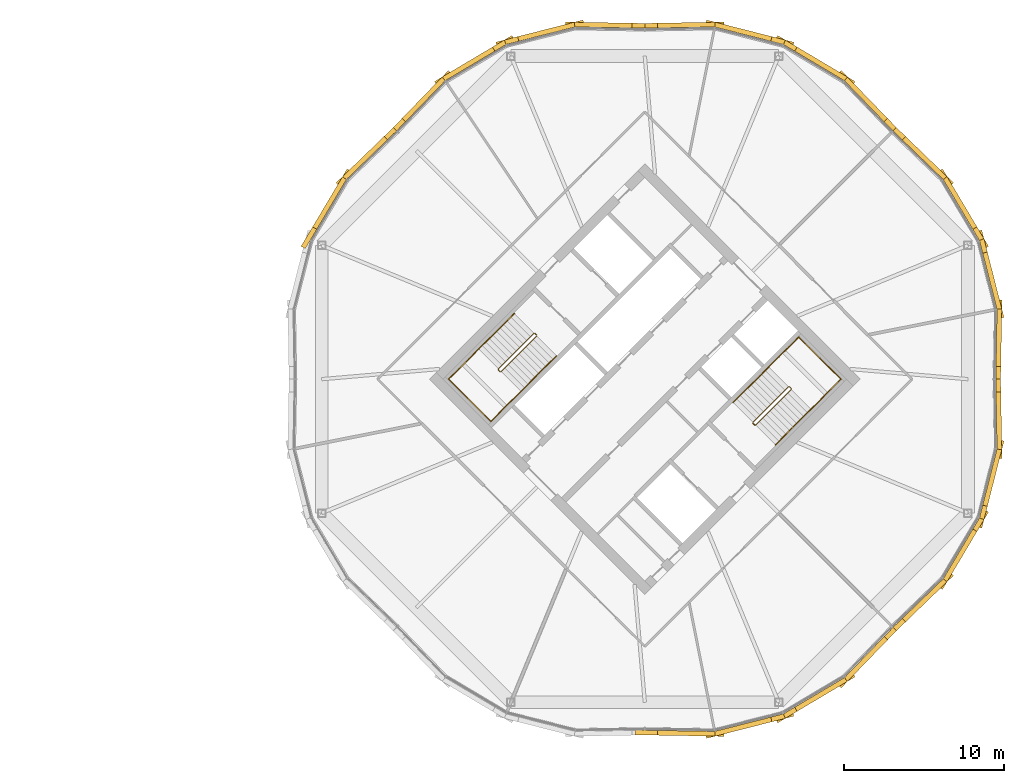
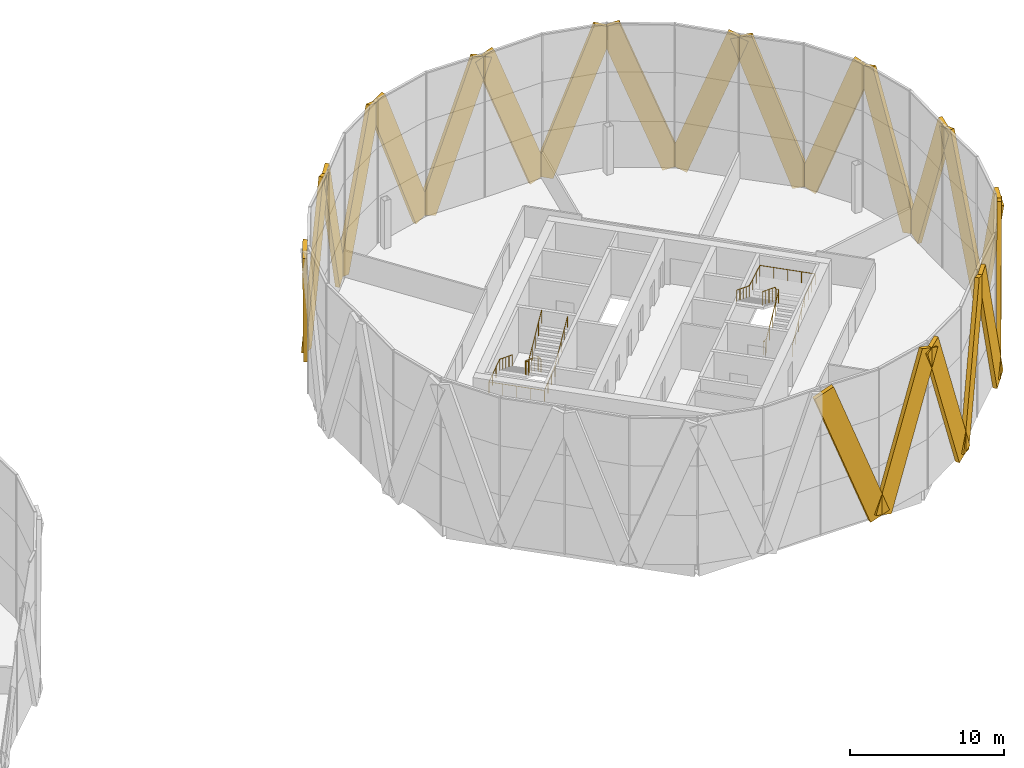
# One storey, part 23 of 23: 22 coverings, 4 railings.
"""IFC4 building model written with IfcOpenShell, lengths in metres."""

from ifc_helpers import new_model, si_unit, direction, frame, origin, origin_2d, place, context, subcontext, project, spatial, rectangle, circle, extrude, material, material_profile, profile_set, type_object, element, save


model = new_model("IFC4")

# Units and contexts
model_context = context("Model", 3, precision=1e-05, world=origin(), true_north=direction((0.0, 1.0)))
body_context = subcontext(model_context, "Body", "Model", "MODEL_VIEW")
ifc_project = project(units=[si_unit("LENGTHUNIT", "METRE"), si_unit("AREAUNIT", "SQUARE_METRE"), si_unit("VOLUMEUNIT", "CUBIC_METRE"), si_unit("PLANEANGLEUNIT", "RADIAN"), si_unit("MASSUNIT", "GRAM", prefix="KILO")], contexts=[model_context])

# Site, building, storey
site_placement = place(None, origin())
site = spatial("IfcSite", under=ifc_project, at=site_placement, CompositionType="ELEMENT")
building_placement = place(site_placement, origin())
building = spatial("IfcBuilding", under=site, at=building_placement, Name="Ogive Gate Towers", CompositionType="ELEMENT")
storey_placement = place(building_placement, frame((0.0, 0.0, 177.300048828125)))
storey = spatial("IfcBuildingStorey", under=building, at=storey_placement, Name="L42", CompositionType="ELEMENT", Elevation=177.300048828125)

# Coverings
ifc_material_1 = material(Name="Pale metal aluminium", Category="aluminium")
ifc_material_profile = material_profile(ifc_material_1, rectangle(XDim=0.300048828125, YDim=1.5, at=origin_2d()), Name="1500 x 300 pale metal aluminium")
ifc_profile_set = profile_set([ifc_material_profile], Name="Pale metal aluminium")
covering_type = type_object("IfcCoveringType", Name="Facade fin 1500 x 300", PredefinedType="CLADDING", material=ifc_profile_set)
covering_1_placement = place(storey_placement, frame((58.11181640625, 4.24365234375, -0.0888671875), z_axis=(-0.005896872643, -0.348099763226, 0.937438948271), x_axis=(0.999856546025, -0.016937749853, 0.0)))
element("IfcCovering", 1, at=covering_1_placement, inside=storey, type_object=covering_type, Name="Facade fin", PredefinedType="CLADDING", context=body_context, shape_type="SweptSolid", body=[
    extrude(rectangle(XDim=0.300048828125, YDim=1.5, at=origin_2d()), origin(), (0.0, 0.0, 1.0), 11.923583984375),
])
for number, where, z_axis, x_axis, name in (
    (2, (58.081787109375, 4.497802734375, -0.085693359375), (-0.086860193873, 0.341530110073, 0.935848540435), (-0.969147856369, -0.246480085394, 0.0), "Facade fin"),
    (3, (54.794677734375, 12.433837890625, -0.085693359375), (0.180079879209, -0.302935056313, 0.935842715824), (0.859590314879, 0.5109838457, 0.0), "Facade fin"),
):
    element("IfcCovering", number, at=place(storey_placement, frame(where, z_axis=z_axis, x_axis=x_axis)), inside=storey, type_object=covering_type, Name=name, PredefinedType="CLADDING", context=body_context, shape_type="SweptSolid", body=[
        extrude(rectangle(XDim=0.300048828125, YDim=1.5, at=origin_2d()), origin(), (0.0, 0.0, 1.0), 11.937255859375),
    ])
for number, where, z_axis, x_axis, name in (
    (4, (54.63623046875, 12.634521484375, -0.0888671875), (-0.250308781099, 0.241995867796, 0.937434538554), (-0.695067697185, -0.718944292925, 0.0), "Facade fin"),
    (5, (48.634521484375, 18.63623046875, -0.0888671875), (0.241995867796, -0.250308781099, 0.937434538554), (0.718944292925, 0.695067697185, 0.0), "Facade fin"),
):
    element("IfcCovering", number, at=place(storey_placement, frame(where, z_axis=z_axis, x_axis=x_axis)), inside=storey, type_object=covering_type, Name=name, PredefinedType="CLADDING", context=body_context, shape_type="SweptSolid", body=[
        extrude(rectangle(XDim=0.300048828125, YDim=1.5, at=origin_2d()), origin(), (0.0, 0.0, 1.0), 11.923828125),
    ])
for number, where, z_axis, x_axis, name in (
    (6, (48.433837890625, 18.794677734375, -0.085693359375), (-0.302935056313, 0.180079879209, 0.935842715824), (-0.5109838457, -0.859590314879, 0.0), "Facade fin"),
    (7, (40.497802734375, 22.081787109375, -0.085693359375), (0.341530110073, -0.086860193873, 0.935848540435), (0.246480085394, 0.969147856369, 0.0), "Facade fin"),
):
    element("IfcCovering", number, at=place(storey_placement, frame(where, z_axis=z_axis, x_axis=x_axis)), inside=storey, type_object=covering_type, Name=name, PredefinedType="CLADDING", context=body_context, shape_type="SweptSolid", body=[
        extrude(rectangle(XDim=0.300048828125, YDim=1.5, at=origin_2d()), origin(), (0.0, 0.0, 1.0), 11.937255859375),
    ])
for number, where, z_axis, x_axis, name in (
    (8, (40.24365234375, 22.11181640625, -0.0888671875), (-0.348099763226, -0.005896872643, 0.937438948271), (0.016937749853, -0.999856546025, 0.0), "Facade fin"),
    (9, (31.75634765625, 22.11181640625, -0.0888671875), (0.348099763226, -0.005896872643, 0.937438948271), (0.016937749853, 0.999856546025, 0.0), "Facade fin"),
):
    element("IfcCovering", number, at=place(storey_placement, frame(where, z_axis=z_axis, x_axis=x_axis)), inside=storey, type_object=covering_type, Name=name, PredefinedType="CLADDING", context=body_context, shape_type="SweptSolid", body=[
        extrude(rectangle(XDim=0.300048828125, YDim=1.5, at=origin_2d()), origin(), (0.0, 0.0, 1.0), 11.923583984375),
    ])
for number, where, z_axis, x_axis, name in (
    (10, (31.502197265625, 22.081787109375, -0.085693359375), (-0.341530110073, -0.086860193873, 0.935848540435), (0.246480085394, -0.969147856369, 0.0), "Facade fin"),
    (11, (23.566162109375, 18.794677734375, -0.085693359375), (0.302935056313, 0.180079879209, 0.935842715824), (-0.5109838457, 0.859590314879, 0.0), "Facade fin"),
):
    element("IfcCovering", number, at=place(storey_placement, frame(where, z_axis=z_axis, x_axis=x_axis)), inside=storey, type_object=covering_type, Name=name, PredefinedType="CLADDING", context=body_context, shape_type="SweptSolid", body=[
        extrude(rectangle(XDim=0.300048828125, YDim=1.5, at=origin_2d()), origin(), (0.0, 0.0, 1.0), 11.937255859375),
    ])
for number, where, z_axis, x_axis, name in (
    (12, (23.365478515625, 18.63623046875, -0.0888671875), (-0.241995867796, -0.250308781099, 0.937434538554), (0.718944292925, -0.695067697185, 0.0), "Facade fin"),
    (13, (17.36376953125, 12.634521484375, -0.0888671875), (0.250308781099, 0.241995867796, 0.937434538554), (-0.695067697185, 0.718944292925, 0.0), "Facade fin"),
):
    element("IfcCovering", number, at=place(storey_placement, frame(where, z_axis=z_axis, x_axis=x_axis)), inside=storey, type_object=covering_type, Name=name, PredefinedType="CLADDING", context=body_context, shape_type="SweptSolid", body=[
        extrude(rectangle(XDim=0.300048828125, YDim=1.5, at=origin_2d()), origin(), (0.0, 0.0, 1.0), 11.923828125),
    ])
covering_2_placement = place(storey_placement, frame((17.205322265625, 12.433837890625, -0.085693359375), z_axis=(-0.180079879209, -0.302935056313, 0.935842715824), x_axis=(0.859590314879, -0.5109838457, 0.0)))
element("IfcCovering", 14, at=covering_2_placement, inside=storey, type_object=covering_type, Name="Facade fin", PredefinedType="CLADDING", context=body_context, shape_type="SweptSolid", body=[
    extrude(rectangle(XDim=0.300048828125, YDim=1.5, at=origin_2d()), origin(), (0.0, 0.0, 1.0), 11.937255859375),
])
covering_3_placement = place(storey_placement, frame((40.24365234375, -22.11181640625, -0.0888671875), z_axis=(-0.348099763226, 0.005896872643, 0.937438948271), x_axis=(-0.016937749853, -0.999856546025, 0.0)))
element("IfcCovering", 15, at=covering_3_placement, inside=storey, type_object=covering_type, Name="Facade fin", PredefinedType="CLADDING", context=body_context, shape_type="SweptSolid", body=[
    extrude(rectangle(XDim=0.300048828125, YDim=1.5, at=origin_2d()), origin(), (0.0, 0.0, 1.0), 11.923583984375),
])
for number, where, z_axis, x_axis, name in (
    (16, (40.497802734375, -22.081787109375, -0.085693359375), (0.341530110073, 0.086860193873, 0.935848540435), (-0.246480085394, 0.969147856369, 0.0), "Facade fin"),
    (17, (48.433837890625, -18.794677734375, -0.085693359375), (-0.302935056313, -0.180079879209, 0.935842715824), (0.5109838457, -0.859590314879, 0.0), "Facade fin"),
):
    element("IfcCovering", number, at=place(storey_placement, frame(where, z_axis=z_axis, x_axis=x_axis)), inside=storey, type_object=covering_type, Name=name, PredefinedType="CLADDING", context=body_context, shape_type="SweptSolid", body=[
        extrude(rectangle(XDim=0.300048828125, YDim=1.5, at=origin_2d()), origin(), (0.0, 0.0, 1.0), 11.937255859375),
    ])
for number, where, z_axis, x_axis, name in (
    (18, (48.634521484375, -18.63623046875, -0.0888671875), (0.241995867796, 0.250308781099, 0.937434538554), (-0.718944292925, 0.695067697185, 0.0), "Facade fin"),
    (19, (54.63623046875, -12.634521484375, -0.0888671875), (-0.250308781099, -0.241995867796, 0.937434538554), (0.695067697185, -0.718944292925, 0.0), "Facade fin"),
):
    element("IfcCovering", number, at=place(storey_placement, frame(where, z_axis=z_axis, x_axis=x_axis)), inside=storey, type_object=covering_type, Name=name, PredefinedType="CLADDING", context=body_context, shape_type="SweptSolid", body=[
        extrude(rectangle(XDim=0.300048828125, YDim=1.5, at=origin_2d()), origin(), (0.0, 0.0, 1.0), 11.923828125),
    ])
for number, where, z_axis, x_axis, name in (
    (20, (54.794677734375, -12.433837890625, -0.085693359375), (0.180079879209, 0.302935056313, 0.935842715824), (-0.859590314879, 0.5109838457, 0.0), "Facade fin"),
    (21, (58.081787109375, -4.497802734375, -0.085693359375), (-0.086860193873, -0.341530110073, 0.935848540435), (0.969147856369, -0.246480085394, 0.0), "Facade fin"),
):
    element("IfcCovering", number, at=place(storey_placement, frame(where, z_axis=z_axis, x_axis=x_axis)), inside=storey, type_object=covering_type, Name=name, PredefinedType="CLADDING", context=body_context, shape_type="SweptSolid", body=[
        extrude(rectangle(XDim=0.300048828125, YDim=1.5, at=origin_2d()), origin(), (0.0, 0.0, 1.0), 11.937255859375),
    ])
covering_4_placement = place(storey_placement, frame((58.11181640625, -4.24365234375, -0.0888671875), z_axis=(-0.005896872643, 0.348099763226, 0.937438948271), x_axis=(-0.999856546025, -0.016937749853, 0.0)))
element("IfcCovering", 22, at=covering_4_placement, inside=storey, type_object=covering_type, Name="Facade fin", PredefinedType="CLADDING", context=body_context, shape_type="SweptSolid", body=[
    extrude(rectangle(XDim=0.300048828125, YDim=1.5, at=origin_2d()), origin(), (0.0, 0.0, 1.0), 11.923583984375),
])

# Railings
ifc_material_2 = material(Name="Stainless steel", Category="steel")
railing_type_1 = type_object("IfcRailingType", Name="Stair guard 1100", PredefinedType="GUARDRAIL", material=ifc_material_2)
railing_1_placement = place(storey_placement, frame((29.15869140625, 2.8603515625, 0.0)))
element("IfcRailing", 23, at=railing_1_placement, inside=storey, type_object=railing_type_1, Name="L42 ST1 stair guard 1", PredefinedType="GUARDRAIL", context=body_context, shape_type="SweptSolid", body=[
    extrude(circle(Radius=0.02392578125, at=origin_2d()), frame((0.0, 0.0, 1.076171875), z_axis=(0.707106781187, -0.707106781187, 0.0), x_axis=(0.707106781187, 0.707106781187, 0.0)), (0.0, 0.0, 1.0), 0.14501953125),
    extrude(circle(Radius=0.02392578125, at=origin_2d()), frame((0.1025390625, -0.1025390625, 1.076171875), z_axis=(-0.645571447971, 0.382425963537, 0.661050594114), x_axis=(-0.509669330572, -0.860370369942, 0.0)), (0.0, 0.0, 1.0), 0.26806640625),
    extrude(circle(Radius=0.02392578125, at=origin_2d()), frame((-0.070556640625, 0.0, 1.25341796875), z_axis=(-0.61558473135, -0.61558473135, 0.49204763698), x_axis=(0.707106781187, -0.707106781187, 0.0)), (0.0, 0.0, 1.0), 3.602783203125),
    extrude(circle(Radius=0.02392578125, at=origin_2d()), frame((-2.288330078125, -2.2177734375, 3.02587890625), z_axis=(0.0, -1.0, 0.0), x_axis=(1.0, 0.0, 0.0)), (0.0, 0.0, 1.0), 0.07080078125),
    extrude(circle(Radius=0.02392578125, at=origin_2d()), frame((-2.288330078125, -2.28857421875, 3.02587890625), z_axis=(0.707106781187, -0.707106781187, 0.0), x_axis=(0.707106781187, 0.707106781187, 0.0)), (0.0, 0.0, 1.0), 0.14501953125),
    extrude(circle(Radius=0.02392578125, at=origin_2d()), frame((-2.185791015625, -2.39111328125, 3.02587890625), z_axis=(0.369845645421, 0.0, 0.929093213065), x_axis=(0.0, 1.0, 0.0)), (0.0, 0.0, 1.0), 0.190673828125),
    extrude(circle(Radius=0.02392578125, at=origin_2d()), frame((-2.115234375, -2.39111328125, 3.203125), z_axis=(0.61558473135, 0.61558473135, 0.49204763698), x_axis=(-0.707106781187, 0.707106781187, 0.0)), (0.0, 0.0, 1.0), 3.602783203125),
    extrude(circle(Radius=0.02099609375, at=origin_2d()), origin(), (0.0, 0.0, 1.0), 1.052001953125),
    extrude(circle(Radius=0.02099609375, at=origin_2d()), frame((0.1025390625, -0.1025390625, 0.0)), (0.0, 0.0, 1.0), 1.052001953125),
    extrude(circle(Radius=0.02099609375, at=origin_2d()), frame((-0.070556640625, 0.0, 0.17724609375)), (0.0, 0.0, 1.0), 1.052001953125),
    extrude(circle(Radius=0.02099609375, at=origin_2d()), frame((-0.625, -0.554443359375, 0.620361328125)), (0.0, 0.0, 1.0), 1.052001953125),
    extrude(circle(Radius=0.02099609375, at=origin_2d()), frame((-1.179443359375, -1.10888671875, 1.0634765625)), (0.0, 0.0, 1.0), 1.052001953125),
    extrude(circle(Radius=0.02099609375, at=origin_2d()), frame((-1.73388671875, -1.663330078125, 1.5068359375)), (0.0, 0.0, 1.0), 1.052001953125),
    extrude(circle(Radius=0.02099609375, at=origin_2d()), frame((-2.288330078125, -2.2177734375, 1.949951171875)), (0.0, 0.0, 1.0), 1.052001953125),
    extrude(circle(Radius=0.02099609375, at=origin_2d()), frame((-2.288330078125, -2.28857421875, 1.949951171875)), (0.0, 0.0, 1.0), 1.052001953125),
    extrude(circle(Radius=0.02099609375, at=origin_2d()), frame((-2.185791015625, -2.39111328125, 1.949951171875)), (0.0, 0.0, 1.0), 1.052001953125),
    extrude(circle(Radius=0.02099609375, at=origin_2d()), frame((-2.115234375, -2.39111328125, 2.127197265625)), (0.0, 0.0, 1.0), 1.052001953125),
    extrude(circle(Radius=0.02099609375, at=origin_2d()), frame((-1.560791015625, -1.836669921875, 2.5703125)), (0.0, 0.0, 1.0), 1.052001953125),
    extrude(circle(Radius=0.02099609375, at=origin_2d()), frame((-1.00634765625, -1.2822265625, 3.013671875)), (0.0, 0.0, 1.0), 1.052001953125),
    extrude(circle(Radius=0.02099609375, at=origin_2d()), frame((-0.451904296875, -0.727783203125, 3.456787109375)), (0.0, 0.0, 1.0), 1.052001953125),
    extrude(circle(Radius=0.02099609375, at=origin_2d()), frame((0.1025390625, -0.17333984375, 3.89990234375)), (0.0, 0.0, 1.0), 1.052001953125),
])
railing_2_placement = place(storey_placement, frame((42.84130859375, -2.8603515625, 0.0)))
element("IfcRailing", 24, at=railing_2_placement, inside=storey, type_object=railing_type_1, Name="L42 ST2 stair guard 1", PredefinedType="GUARDRAIL", context=body_context, shape_type="SweptSolid", body=[
    extrude(circle(Radius=0.02392578125, at=origin_2d()), frame((0.0, 0.0, 1.076171875), z_axis=(-0.707106781187, 0.707106781187, 0.0), x_axis=(-0.707106781187, -0.707106781187, 0.0)), (0.0, 0.0, 1.0), 0.14501953125),
    extrude(circle(Radius=0.02392578125, at=origin_2d()), frame((-0.1025390625, 0.1025390625, 1.076171875), z_axis=(0.645571447971, -0.382425963537, 0.661050594114), x_axis=(0.509669330572, 0.860370369942, 0.0)), (0.0, 0.0, 1.0), 0.26806640625),
    extrude(circle(Radius=0.02392578125, at=origin_2d()), frame((0.070556640625, 0.0, 1.25341796875), z_axis=(0.61558473135, 0.61558473135, 0.49204763698), x_axis=(-0.707106781187, 0.707106781187, 0.0)), (0.0, 0.0, 1.0), 3.602783203125),
    extrude(circle(Radius=0.02392578125, at=origin_2d()), frame((2.288330078125, 2.2177734375, 3.02587890625), z_axis=(0.0, 1.0, 0.0), x_axis=(-1.0, 0.0, 0.0)), (0.0, 0.0, 1.0), 0.07080078125),
    extrude(circle(Radius=0.02392578125, at=origin_2d()), frame((2.288330078125, 2.28857421875, 3.02587890625), z_axis=(-0.707106781187, 0.707106781187, 0.0), x_axis=(-0.707106781187, -0.707106781187, 0.0)), (0.0, 0.0, 1.0), 0.14501953125),
    extrude(circle(Radius=0.02392578125, at=origin_2d()), frame((2.185791015625, 2.39111328125, 3.02587890625), z_axis=(-0.369845645421, 0.0, 0.929093213065), x_axis=(0.0, -1.0, 0.0)), (0.0, 0.0, 1.0), 0.190673828125),
    extrude(circle(Radius=0.02392578125, at=origin_2d()), frame((2.115234375, 2.39111328125, 3.203125), z_axis=(-0.61558473135, -0.61558473135, 0.49204763698), x_axis=(0.707106781187, -0.707106781187, 0.0)), (0.0, 0.0, 1.0), 3.602783203125),
    extrude(circle(Radius=0.02099609375, at=origin_2d()), origin(), (0.0, 0.0, 1.0), 1.052001953125),
    extrude(circle(Radius=0.02099609375, at=origin_2d()), frame((-0.1025390625, 0.1025390625, 0.0)), (0.0, 0.0, 1.0), 1.052001953125),
    extrude(circle(Radius=0.02099609375, at=origin_2d()), frame((0.070556640625, 0.0, 0.17724609375)), (0.0, 0.0, 1.0), 1.052001953125),
    extrude(circle(Radius=0.02099609375, at=origin_2d()), frame((0.625, 0.554443359375, 0.620361328125)), (0.0, 0.0, 1.0), 1.052001953125),
    extrude(circle(Radius=0.02099609375, at=origin_2d()), frame((1.179443359375, 1.10888671875, 1.0634765625)), (0.0, 0.0, 1.0), 1.052001953125),
    extrude(circle(Radius=0.02099609375, at=origin_2d()), frame((1.73388671875, 1.663330078125, 1.5068359375)), (0.0, 0.0, 1.0), 1.052001953125),
    extrude(circle(Radius=0.02099609375, at=origin_2d()), frame((2.288330078125, 2.2177734375, 1.949951171875)), (0.0, 0.0, 1.0), 1.052001953125),
    extrude(circle(Radius=0.02099609375, at=origin_2d()), frame((2.288330078125, 2.28857421875, 1.949951171875)), (0.0, 0.0, 1.0), 1.052001953125),
    extrude(circle(Radius=0.02099609375, at=origin_2d()), frame((2.185791015625, 2.39111328125, 1.949951171875)), (0.0, 0.0, 1.0), 1.052001953125),
    extrude(circle(Radius=0.02099609375, at=origin_2d()), frame((2.115234375, 2.39111328125, 2.127197265625)), (0.0, 0.0, 1.0), 1.052001953125),
    extrude(circle(Radius=0.02099609375, at=origin_2d()), frame((1.560791015625, 1.836669921875, 2.5703125)), (0.0, 0.0, 1.0), 1.052001953125),
    extrude(circle(Radius=0.02099609375, at=origin_2d()), frame((1.00634765625, 1.2822265625, 3.013671875)), (0.0, 0.0, 1.0), 1.052001953125),
    extrude(circle(Radius=0.02099609375, at=origin_2d()), frame((0.451904296875, 0.727783203125, 3.456787109375)), (0.0, 0.0, 1.0), 1.052001953125),
    extrude(circle(Radius=0.02099609375, at=origin_2d()), frame((-0.1025390625, 0.17333984375, 3.89990234375)), (0.0, 0.0, 1.0), 1.052001953125),
])
railing_type_2 = type_object("IfcRailingType", Name="Stair handrail 900", PredefinedType="HANDRAIL", material=ifc_material_2)
railing_3_placement = place(storey_placement, frame((27.857666015625, 4.090576171875, 0.17724609375)))
element("IfcRailing", 25, at=railing_3_placement, inside=storey, type_object=railing_type_2, Name="L42 ST1 stair handrail 1", PredefinedType="HANDRAIL", context=body_context, shape_type="SweptSolid", body=[
    extrude(circle(Radius=0.02392578125, at=origin_2d()), frame((0.0, 0.0, 0.8759765625), z_axis=(-0.61558473135, -0.61558473135, 0.49204763698), x_axis=(0.707106781187, -0.707106781187, 0.0)), (0.0, 0.0, 1.0), 3.602783203125),
    extrude(circle(Radius=0.02392578125, at=origin_2d()), frame((-2.2177734375, -2.2177734375, 2.6484375), z_axis=(-0.707106781187, -0.707106781187, 0.0), x_axis=(0.707106781187, -0.707106781187, 0.0)), (0.0, 0.0, 1.0), 2.6484375),
    extrude(circle(Radius=0.02392578125, at=origin_2d()), frame((-4.090576171875, -4.090576171875, 2.6484375), z_axis=(0.707106781187, -0.707106781187, 0.0), x_axis=(0.707106781187, 0.707106781187, 0.0)), (0.0, 0.0, 1.0), 3.72509765625),
    extrude(circle(Radius=0.02392578125, at=origin_2d()), frame((-1.45654296875, -6.724609375, 2.6484375), z_axis=(0.705482886452, 0.705574853978, 0.066768423356), x_axis=(-0.70715286629, 0.70706069308, 0.0)), (0.0, 0.0, 1.0), 2.654541015625),
    extrude(circle(Radius=0.02392578125, at=origin_2d()), frame((0.416259765625, -4.8515625, 2.82568359375), z_axis=(0.615610411033, 0.615542642384, 0.4920681632), x_axis=(-0.70706785752, 0.70714570271, 0.0)), (0.0, 0.0, 1.0), 3.6025390625),
    extrude(circle(Radius=0.02099609375, at=origin_2d()), origin(), (0.0, 0.0, 1.0), 0.851806640625),
    extrude(circle(Radius=0.02099609375, at=origin_2d()), frame((-0.554443359375, -0.554443359375, 0.443115234375)), (0.0, 0.0, 1.0), 0.851806640625),
    extrude(circle(Radius=0.02099609375, at=origin_2d()), frame((-1.10888671875, -1.10888671875, 0.88623046875)), (0.0, 0.0, 1.0), 0.851806640625),
    extrude(circle(Radius=0.02099609375, at=origin_2d()), frame((-1.663330078125, -1.663330078125, 1.32958984375)), (0.0, 0.0, 1.0), 0.851806640625),
    extrude(circle(Radius=0.02099609375, at=origin_2d()), frame((-2.2177734375, -2.2177734375, 1.772705078125)), (0.0, 0.0, 1.0), 0.851806640625),
    extrude(circle(Radius=0.02099609375, at=origin_2d()), frame((-2.842041015625, -2.842041015625, 1.772705078125)), (0.0, 0.0, 1.0), 0.851806640625),
    extrude(circle(Radius=0.02099609375, at=origin_2d()), frame((-3.46630859375, -3.46630859375, 1.772705078125)), (0.0, 0.0, 1.0), 0.851806640625),
    extrude(circle(Radius=0.02099609375, at=origin_2d()), frame((-4.090576171875, -4.090576171875, 1.772705078125)), (0.0, 0.0, 1.0), 0.851806640625),
    extrude(circle(Radius=0.02099609375, at=origin_2d()), frame((-3.43212890625, -4.7490234375, 1.772705078125)), (0.0, 0.0, 1.0), 0.851806640625),
    extrude(circle(Radius=0.02099609375, at=origin_2d()), frame((-2.7734375, -5.40771484375, 1.772705078125)), (0.0, 0.0, 1.0), 0.851806640625),
    extrude(circle(Radius=0.02099609375, at=origin_2d()), frame((-2.114990234375, -6.066162109375, 1.772705078125)), (0.0, 0.0, 1.0), 0.851806640625),
    extrude(circle(Radius=0.02099609375, at=origin_2d()), frame((-1.45654296875, -6.724609375, 1.772705078125)), (0.0, 0.0, 1.0), 0.851806640625),
    extrude(circle(Radius=0.02099609375, at=origin_2d()), frame((-0.832275390625, -6.100341796875, 1.831787109375)), (0.0, 0.0, 1.0), 0.851806640625),
    extrude(circle(Radius=0.02099609375, at=origin_2d()), frame((-0.2080078125, -5.475830078125, 1.890869140625)), (0.0, 0.0, 1.0), 0.851806640625),
    extrude(circle(Radius=0.02099609375, at=origin_2d()), frame((0.416259765625, -4.8515625, 1.949951171875)), (0.0, 0.0, 1.0), 0.851806640625),
    extrude(circle(Radius=0.02099609375, at=origin_2d()), frame((0.970703125, -4.297119140625, 2.39306640625)), (0.0, 0.0, 1.0), 0.851806640625),
    extrude(circle(Radius=0.02099609375, at=origin_2d()), frame((1.525146484375, -3.74267578125, 2.83642578125)), (0.0, 0.0, 1.0), 0.851806640625),
    extrude(circle(Radius=0.02099609375, at=origin_2d()), frame((2.07958984375, -3.1884765625, 3.279541015625)), (0.0, 0.0, 1.0), 0.851806640625),
    extrude(circle(Radius=0.02099609375, at=origin_2d()), frame((2.634033203125, -2.634033203125, 3.72265625)), (0.0, 0.0, 1.0), 0.851806640625),
])
railing_4_placement = place(storey_placement, frame((44.142333984375, -4.090576171875, 0.17724609375)))
element("IfcRailing", 26, at=railing_4_placement, inside=storey, type_object=railing_type_2, Name="L42 ST2 stair handrail 1", PredefinedType="HANDRAIL", context=body_context, shape_type="SweptSolid", body=[
    extrude(circle(Radius=0.02392578125, at=origin_2d()), frame((0.0, 0.0, 0.8759765625), z_axis=(0.61558473135, 0.61558473135, 0.49204763698), x_axis=(-0.707106781187, 0.707106781187, 0.0)), (0.0, 0.0, 1.0), 3.602783203125),
    extrude(circle(Radius=0.02392578125, at=origin_2d()), frame((2.2177734375, 2.2177734375, 2.6484375), z_axis=(0.707106781187, 0.707106781187, 0.0), x_axis=(-0.707106781187, 0.707106781187, 0.0)), (0.0, 0.0, 1.0), 2.6484375),
    extrude(circle(Radius=0.02392578125, at=origin_2d()), frame((4.090576171875, 4.090576171875, 2.6484375), z_axis=(-0.707106781187, 0.707106781187, 0.0), x_axis=(-0.707106781187, -0.707106781187, 0.0)), (0.0, 0.0, 1.0), 3.72509765625),
    extrude(circle(Radius=0.02392578125, at=origin_2d()), frame((1.45654296875, 6.724609375, 2.6484375), z_axis=(-0.705482886452, -0.705574853978, 0.066768423356), x_axis=(0.70715286629, -0.70706069308, 0.0)), (0.0, 0.0, 1.0), 2.654541015625),
    extrude(circle(Radius=0.02392578125, at=origin_2d()), frame((-0.416259765625, 4.8515625, 2.82568359375), z_axis=(-0.615610411033, -0.615542642384, 0.4920681632), x_axis=(0.70706785752, -0.70714570271, 0.0)), (0.0, 0.0, 1.0), 3.6025390625),
    extrude(circle(Radius=0.02099609375, at=origin_2d()), origin(), (0.0, 0.0, 1.0), 0.851806640625),
    extrude(circle(Radius=0.02099609375, at=origin_2d()), frame((0.554443359375, 0.554443359375, 0.443115234375)), (0.0, 0.0, 1.0), 0.851806640625),
    extrude(circle(Radius=0.02099609375, at=origin_2d()), frame((1.10888671875, 1.10888671875, 0.88623046875)), (0.0, 0.0, 1.0), 0.851806640625),
    extrude(circle(Radius=0.02099609375, at=origin_2d()), frame((1.663330078125, 1.663330078125, 1.32958984375)), (0.0, 0.0, 1.0), 0.851806640625),
    extrude(circle(Radius=0.02099609375, at=origin_2d()), frame((2.2177734375, 2.2177734375, 1.772705078125)), (0.0, 0.0, 1.0), 0.851806640625),
    extrude(circle(Radius=0.02099609375, at=origin_2d()), frame((2.842041015625, 2.842041015625, 1.772705078125)), (0.0, 0.0, 1.0), 0.851806640625),
    extrude(circle(Radius=0.02099609375, at=origin_2d()), frame((3.46630859375, 3.46630859375, 1.772705078125)), (0.0, 0.0, 1.0), 0.851806640625),
    extrude(circle(Radius=0.02099609375, at=origin_2d()), frame((4.090576171875, 4.090576171875, 1.772705078125)), (0.0, 0.0, 1.0), 0.851806640625),
    extrude(circle(Radius=0.02099609375, at=origin_2d()), frame((3.43212890625, 4.7490234375, 1.772705078125)), (0.0, 0.0, 1.0), 0.851806640625),
    extrude(circle(Radius=0.02099609375, at=origin_2d()), frame((2.7734375, 5.40771484375, 1.772705078125)), (0.0, 0.0, 1.0), 0.851806640625),
    extrude(circle(Radius=0.02099609375, at=origin_2d()), frame((2.114990234375, 6.066162109375, 1.772705078125)), (0.0, 0.0, 1.0), 0.851806640625),
    extrude(circle(Radius=0.02099609375, at=origin_2d()), frame((1.45654296875, 6.724609375, 1.772705078125)), (0.0, 0.0, 1.0), 0.851806640625),
    extrude(circle(Radius=0.02099609375, at=origin_2d()), frame((0.832275390625, 6.100341796875, 1.831787109375)), (0.0, 0.0, 1.0), 0.851806640625),
    extrude(circle(Radius=0.02099609375, at=origin_2d()), frame((0.2080078125, 5.475830078125, 1.890869140625)), (0.0, 0.0, 1.0), 0.851806640625),
    extrude(circle(Radius=0.02099609375, at=origin_2d()), frame((-0.416259765625, 4.8515625, 1.949951171875)), (0.0, 0.0, 1.0), 0.851806640625),
    extrude(circle(Radius=0.02099609375, at=origin_2d()), frame((-0.970703125, 4.297119140625, 2.39306640625)), (0.0, 0.0, 1.0), 0.851806640625),
    extrude(circle(Radius=0.02099609375, at=origin_2d()), frame((-1.525146484375, 3.74267578125, 2.83642578125)), (0.0, 0.0, 1.0), 0.851806640625),
    extrude(circle(Radius=0.02099609375, at=origin_2d()), frame((-2.07958984375, 3.1884765625, 3.279541015625)), (0.0, 0.0, 1.0), 0.851806640625),
    extrude(circle(Radius=0.02099609375, at=origin_2d()), frame((-2.634033203125, 2.634033203125, 3.72265625)), (0.0, 0.0, 1.0), 0.851806640625),
])

save(model, "model.ifc")
